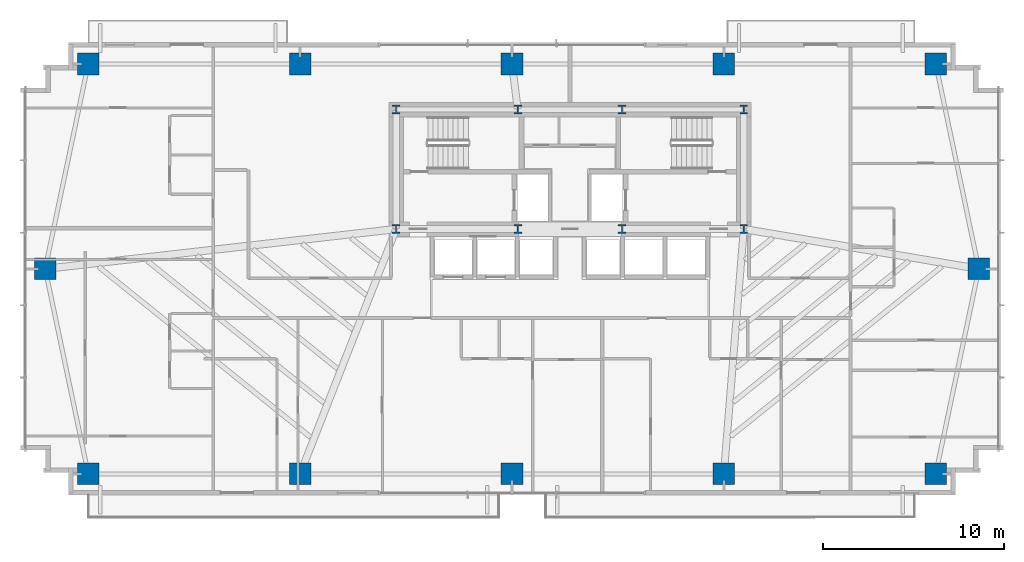
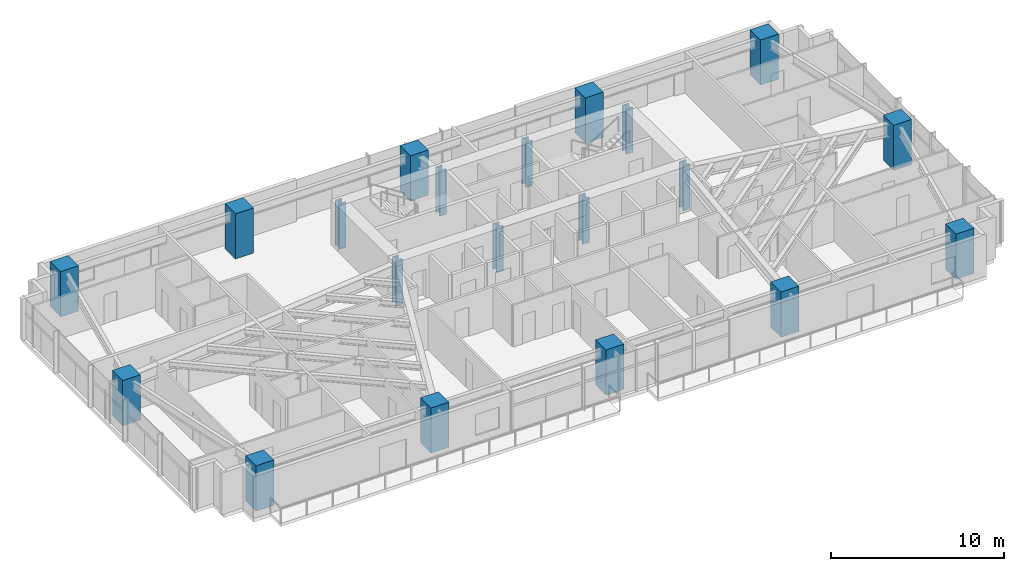
# One storey, part 1 of 25: 20 columns.
"""IFC4 building model written with IfcOpenShell, lengths in metres."""

from ifc_helpers import new_model, si_unit, direction, frame, origin, origin_2d, place, context, subcontext, project, spatial, rectangle, i_section, extrude, source, transform, mapped, material, material_profile, profile_set, type_object, type_shapes, element, save


model = new_model("IFC4")

# Units and contexts
model_context = context("Model", 3, precision=1e-05, world=origin(), true_north=direction((0.0, 1.0)))
body_context = subcontext(model_context, "Body", "Model", "MODEL_VIEW")
ifc_project = project(units=[si_unit("LENGTHUNIT", "METRE"), si_unit("AREAUNIT", "SQUARE_METRE"), si_unit("VOLUMEUNIT", "CUBIC_METRE"), si_unit("PLANEANGLEUNIT", "RADIAN"), si_unit("MASSUNIT", "GRAM", prefix="KILO")], contexts=[model_context])

# Site, building, storey
site_placement = place(None, origin())
site = spatial("IfcSite", under=ifc_project, at=site_placement, CompositionType="ELEMENT")
building_placement = place(site_placement, origin())
building = spatial("IfcBuilding", under=site, at=building_placement, Name="Astriad Promenade Condominiums", CompositionType="ELEMENT")
storey_placement = place(building_placement, frame((0.0, 0.0, 32.60009765625)))
storey = spatial("IfcBuildingStorey", under=building, at=storey_placement, Name="L08", CompositionType="ELEMENT", Elevation=32.60009765625)

# Columns
ifc_material_1 = material(Name="Steel ASTM A992 Grade 50", Category="steel")
ifc_material_profile_1 = material_profile(ifc_material_1, i_section(OverallWidth=0.43701171875, OverallDepth=0.51416015625, WebThickness=0.060546875, FlangeThickness=0.096923828125, FilletRadius=0.017822265625, at=origin_2d()), Name="W14X550")
ifc_profile_set_1 = profile_set([ifc_material_profile_1], Name="Steel ASTM A992 Grade 50")
column_type_1 = type_object("IfcColumnType", Name="STEEL CORE PILASTER W14X550", PredefinedType="PILASTER", material=ifc_profile_set_1)
shared_shape_1 = source(origin(), body_context, "Body", "SweptSolid", [
    extrude(i_section(OverallWidth=0.43701171875, OverallDepth=0.51416015625, WebThickness=0.060546875, FlangeThickness=0.096923828125, FilletRadius=0.017822265625, at=origin_2d()), origin(), (0.0, 0.0, 1.0), 3.196044921875),
])
type_shapes(column_type_1, [shared_shape_1])
for number, where, z_axis, x_axis, name in (
    (1, (26.39990234375, 17.39990234375, 0.001953125), (0.0, 0.0, 1.0), (1.0, 0.0, 0.0), "Core Pilaster Column CP1 (L08)"),
    (2, (33.1201171875, 17.39990234375, 0.001953125), (0.0, 0.0, 1.0), (1.0, 0.0, 0.0), "Core Pilaster Column CP2 (L08)"),
    (3, (38.8798828125, 17.39990234375, 0.001953125), (0.0, 0.0, 1.0), (1.0, 0.0, 0.0), "Core Pilaster Column CP3 (L08)"),
    (4, (45.60009765625, 17.39990234375, 0.001953125), (0.0, 0.0, 1.0), (1.0, 0.0, 0.0), "Core Pilaster Column CP4 (L08)"),
    (5, (26.39990234375, 24.0, 0.001953125), (0.0, 0.0, 1.0), (1.0, 0.0, 0.0), "Core Pilaster Column CP5 (L08)"),
    (6, (33.1201171875, 24.0, 0.001953125), (0.0, 0.0, 1.0), (1.0, 0.0, 0.0), "Core Pilaster Column CP6 (L08)"),
    (7, (38.8798828125, 24.0, 0.001953125), (0.0, 0.0, 1.0), (1.0, 0.0, 0.0), "Core Pilaster Column CP7 (L08)"),
    (8, (45.60009765625, 24.0, 0.001953125), (0.0, 0.0, 1.0), (1.0, 0.0, 0.0), "Core Pilaster Column CP8 (L08)"),
):
    element("IfcColumn", number, at=place(storey_placement, frame(where, z_axis=z_axis, x_axis=x_axis)), inside=storey, type_object=column_type_1, Name=name, PredefinedType="PILASTER", context=body_context, shape_type="MappedRepresentation", body=[
        mapped(shared_shape_1, transform((0.0, 0.0, 0.0), scale=1.0)),
    ])
ifc_material_2 = material(Name="Concrete C80/95", Category="concrete")
ifc_material_profile_2 = material_profile(ifc_material_2, rectangle(XDim=1.199951171875, YDim=1.199951171875, at=origin_2d()), Name="RC-COL-1200X1200")
ifc_profile_set_2 = profile_set([ifc_material_profile_2], Name="Concrete C80/95")
column_type_2 = type_object("IfcColumnType", Name="CONCRETE MEGA COLUMN 1200X1200", PredefinedType="COLUMN", material=ifc_profile_set_2)
shared_shape_2 = source(origin(), body_context, "Body", "SweptSolid", [
    extrude(rectangle(XDim=1.199951171875, YDim=1.199951171875, at=origin_2d()), origin(), (0.0, 0.0, 1.0), 3.196044921875),
])
type_shapes(column_type_2, [shared_shape_2])
for number, where, z_axis, x_axis, name in (
    (9, (9.39990234375, 3.8798828125, 0.001953125), (0.0, 0.0, 1.0), (1.0, 0.0, 0.0), "Perimeter Column PC01 (L08)"),
    (10, (21.10009765625, 3.8798828125, 0.001953125), (0.0, 0.0, 1.0), (1.0, 0.0, 0.0), "Perimeter Column PC02 (L08)"),
    (11, (32.800048828125, 3.8798828125, 0.001953125), (0.0, 0.0, 1.0), (1.0, 0.0, 0.0), "Perimeter Column PC03 (L08)"),
    (12, (44.5, 3.8798828125, 0.001953125), (0.0, 0.0, 1.0), (1.0, 0.0, 0.0), "Perimeter Column PC04 (L08)"),
    (13, (56.199951171875, 3.8798828125, 0.001953125), (0.0, 0.0, 1.0), (1.0, 0.0, 0.0), "Perimeter Column PC05 (L08)"),
    (14, (9.39990234375, 26.52001953125, 0.001953125), (0.0, 0.0, 1.0), (1.0, 0.0, 0.0), "Perimeter Column PC06 (L08)"),
    (15, (21.10009765625, 26.52001953125, 0.001953125), (0.0, 0.0, 1.0), (1.0, 0.0, 0.0), "Perimeter Column PC07 (L08)"),
    (16, (32.800048828125, 26.52001953125, 0.001953125), (0.0, 0.0, 1.0), (1.0, 0.0, 0.0), "Perimeter Column PC08 (L08)"),
    (17, (44.5, 26.52001953125, 0.001953125), (0.0, 0.0, 1.0), (1.0, 0.0, 0.0), "Perimeter Column PC09 (L08)"),
    (18, (56.199951171875, 26.52001953125, 0.001953125), (0.0, 0.0, 1.0), (1.0, 0.0, 0.0), "Perimeter Column PC10 (L08)"),
    (19, (7.02001953125, 15.199951171875, 0.001953125), (0.0, 0.0, 1.0), (1.0, 0.0, 0.0), "Perimeter Column PC11 (L08)"),
    (20, (58.580078125, 15.199951171875, 0.001953125), (0.0, 0.0, 1.0), (1.0, 0.0, 0.0), "Perimeter Column PC12 (L08)"),
):
    element("IfcColumn", number, at=place(storey_placement, frame(where, z_axis=z_axis, x_axis=x_axis)), inside=storey, type_object=column_type_2, Name=name, PredefinedType="COLUMN", context=body_context, shape_type="MappedRepresentation", body=[
        mapped(shared_shape_2, transform((0.0, 0.0, 0.0), scale=1.0)),
    ])

save(model, "model.ifc")
